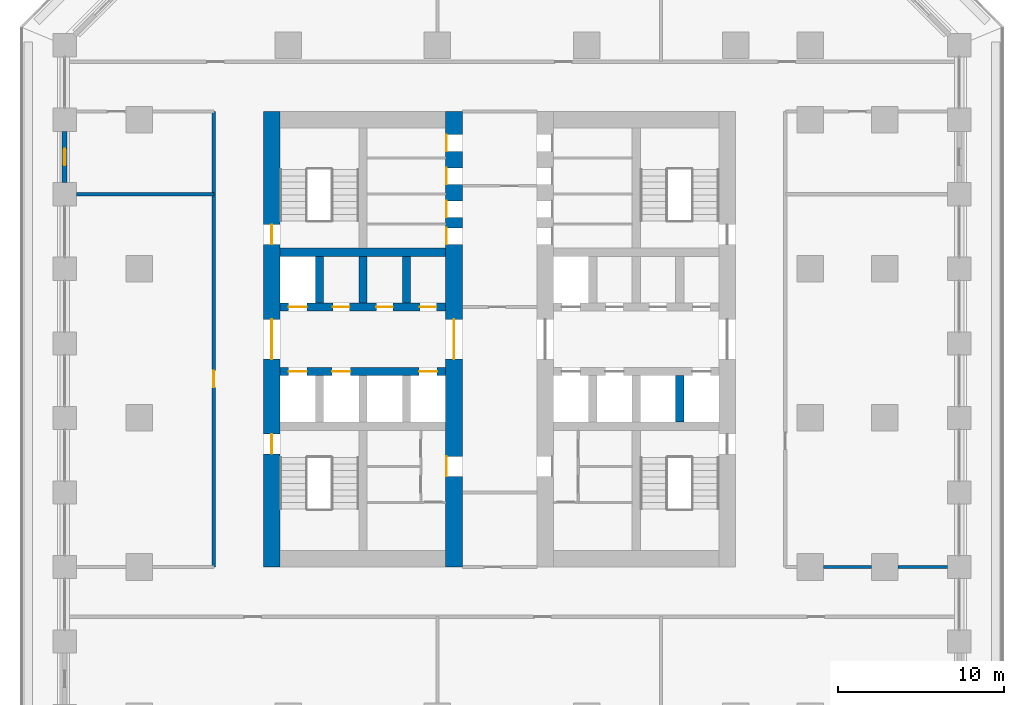
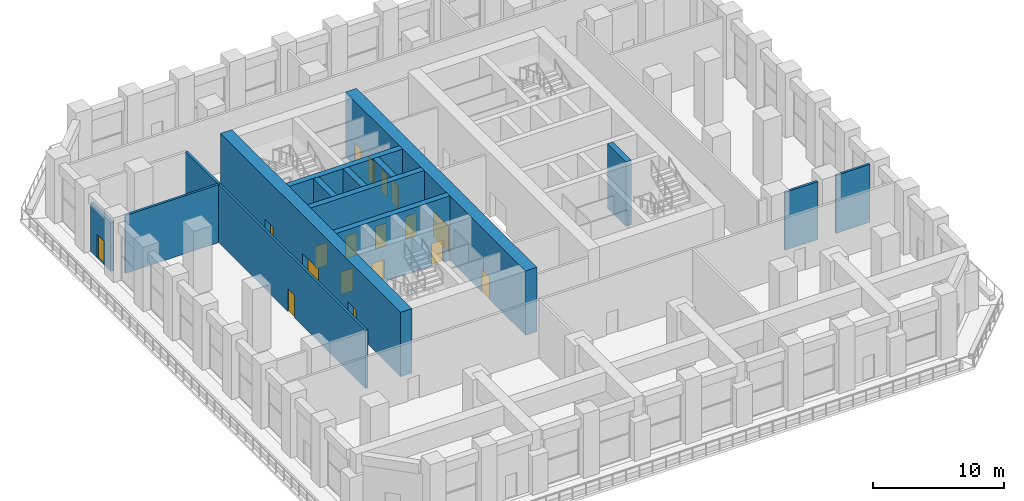
# One storey, part 12 of 19: 18 doors, 14 walls, 18 openings.
"""IFC4 building model written with IfcOpenShell, lengths in metres."""

from ifc_helpers import new_model, si_unit, direction, frame, frame_2d, origin, place, context, subcontext, project, spatial, rectangle, extrude, material, layer, layer_set, type_object, element, fill, save


model = new_model("IFC4")

# Units and contexts
model_context = context("Model", 3, precision=1e-05, world=origin(), true_north=direction((0.0, 1.0)))
body_context = subcontext(model_context, "Body", "Model", "MODEL_VIEW")
ifc_project = project(units=[si_unit("LENGTHUNIT", "METRE"), si_unit("AREAUNIT", "SQUARE_METRE"), si_unit("VOLUMEUNIT", "CUBIC_METRE"), si_unit("PLANEANGLEUNIT", "RADIAN"), si_unit("MASSUNIT", "GRAM", prefix="KILO")], contexts=[model_context])

# Site, building, storey
site_placement = place(None, origin())
site = spatial("IfcSite", under=ifc_project, at=site_placement, CompositionType="ELEMENT")
building_placement = place(site_placement, origin())
building = spatial("IfcBuilding", under=site, at=building_placement, Name="Corbel Stack Research Tower", CompositionType="ELEMENT")
storey_placement = place(building_placement, frame((0.0, 0.0, 70.60009765625)))
storey = spatial("IfcBuildingStorey", under=building, at=storey_placement, Name="L16", CompositionType="ELEMENT", Elevation=70.60009765625)

# Wall, openings, doors
ifc_material_1 = material(Name="Concrete C70/85", Category="concrete")
ifc_layer_1 = layer(ifc_material_1, 1.0)
ifc_layer_set_1 = layer_set([ifc_layer_1], Name="Concrete C70/85")
wall_type_1 = type_object("IfcWallType", Name="CW-1000-70", PredefinedType="SHEAR", material=ifc_layer_set_1)
wall_1_placement = place(storey_placement, frame((-10.0, -9.0, 0.0), z_axis=(0.0, 0.0, 1.0), x_axis=(0.0, 1.0, 0.0)))
wall_1 = element("IfcWall", 1, at=wall_1_placement, inside=storey, type_object=wall_type_1, Name="West core wall, west face L16", PredefinedType="SHEAR", context=body_context, shape_type="SweptSolid", body=[
    extrude(rectangle(XDim=27.5, YDim=1.0, at=frame_2d((13.75, 0.0))), origin(), (0.0, 0.0, 1.0), 6.0),
])
opening_1_placement = place(wall_1_placement, frame((12.550048828125, 0.0, 0.0)))
opening_1 = element("IfcOpeningElement", 2, at=opening_1_placement, cuts=wall_1, Name="Opening CD-W-W", PredefinedType="OPENING", context=body_context, shape_type="SweptSolid", body=[
    extrude(rectangle(XDim=2.39990234375, YDim=2.39990234375, at=frame_2d((1.199951171875, 1.199951171875))), frame((0.0, 0.510009765625, 0.0), z_axis=(0.0, -1.0, 0.0), x_axis=(1.0, 0.0, 0.0)), (0.0, 0.0, 1.0), 1.02001953125),
])
opening_2_placement = place(wall_1_placement, frame((6.824951171875, 0.0, 0.0)))
opening_2 = element("IfcOpeningElement", 3, at=opening_2_placement, cuts=wall_1, Name="Opening SD-ST-W1", PredefinedType="OPENING", context=body_context, shape_type="SweptSolid", body=[
    extrude(rectangle(XDim=1.199951171875, YDim=2.10009765625, at=frame_2d((0.60009765625, 1.050048828125))), frame((0.0, 0.510009765625, 0.0), z_axis=(0.0, -1.0, 0.0), x_axis=(1.0, 0.0, 0.0)), (0.0, 0.0, 1.0), 1.02001953125),
])
opening_3_placement = place(wall_1_placement, frame((19.47509765625, 0.0, 0.0)))
opening_3 = element("IfcOpeningElement", 4, at=opening_3_placement, cuts=wall_1, Name="Opening SD-ST-W2", PredefinedType="OPENING", context=body_context, shape_type="SweptSolid", body=[
    extrude(rectangle(XDim=1.199951171875, YDim=2.10009765625, at=frame_2d((0.60009765625, 1.050048828125))), frame((0.0, 0.510009765625, 0.0), z_axis=(0.0, -1.0, 0.0), x_axis=(1.0, 0.0, 0.0)), (0.0, 0.0, 1.0), 1.02001953125),
])
ifc_material_2 = material(Name="Painted steel fire door", Category="steel")
door_type_1 = type_object("IfcDoorType", Name="Lobby door pair 2400 x 2400 FD30S", OperationType="DOUBLE_DOOR_DOUBLE_SWING", PredefinedType="DOOR", material=ifc_material_2)
door_1_placement = place(opening_1_placement, origin())
door_1 = element("IfcDoor", 5, at=door_1_placement, inside=storey, type_object=door_type_1, Name="Lift lobby door W core W", OperationType="DOUBLE_DOOR_DOUBLE_SWING", OverallHeight=2.39990234375, OverallWidth=2.39990234375, PredefinedType="DOOR", context=body_context, shape_type="SweptSolid", body=[
    extrude(rectangle(XDim=2.39990234375, YDim=2.39990234375, at=frame_2d((1.199951171875, 1.199951171875))), frame((0.0, 0.02490234375, 0.0), z_axis=(0.0, -1.0, 0.0), x_axis=(1.0, 0.0, 0.0)), (0.0, 0.0, 1.0), 0.050048828125),
])
fill(opening_1, door_1)
ifc_material_3 = material(Name="Painted steel fire door", Category="steel")
door_type_2 = type_object("IfcDoorType", Name="Stair door 1200 x 2100 FD90 left hand", OperationType="SINGLE_SWING_LEFT", PredefinedType="DOOR", material=ifc_material_3)
door_2_placement = place(opening_2_placement, origin())
door_2 = element("IfcDoor", 6, at=door_2_placement, inside=storey, type_object=door_type_2, Name="Stair door ST-W1", OperationType="SINGLE_SWING_LEFT", OverallHeight=2.10009765625, OverallWidth=1.199951171875, PredefinedType="DOOR", context=body_context, shape_type="SweptSolid", body=[
    extrude(rectangle(XDim=1.199951171875, YDim=2.10009765625, at=frame_2d((0.60009765625, 1.050048828125))), frame((0.0, 0.02490234375, 0.0), z_axis=(0.0, -1.0, 0.0), x_axis=(1.0, 0.0, 0.0)), (0.0, 0.0, 1.0), 0.050048828125),
])
fill(opening_2, door_2)
door_3_placement = place(opening_3_placement, origin())
door_3 = element("IfcDoor", 7, at=door_3_placement, inside=storey, type_object=door_type_2, Name="Stair door ST-W2", OperationType="SINGLE_SWING_LEFT", OverallHeight=2.10009765625, OverallWidth=1.199951171875, PredefinedType="DOOR", context=body_context, shape_type="SweptSolid", body=[
    extrude(rectangle(XDim=1.199951171875, YDim=2.10009765625, at=frame_2d((0.60009765625, 1.050048828125))), frame((0.0, 0.02490234375, 0.0), z_axis=(0.0, -1.0, 0.0), x_axis=(1.0, 0.0, 0.0)), (0.0, 0.0, 1.0), 0.050048828125),
])
fill(opening_3, door_3)

wall_2_placement = place(storey_placement, frame((1.0, -9.0, 0.0), z_axis=(0.0, 0.0, 1.0), x_axis=(0.0, 1.0, 0.0)))
wall_2 = element("IfcWall", 8, at=wall_2_placement, inside=storey, type_object=wall_type_1, Name="West core wall, east face L16", PredefinedType="SHEAR", context=body_context, shape_type="SweptSolid", body=[
    extrude(rectangle(XDim=27.5, YDim=1.0, at=frame_2d((13.75, 0.0))), origin(), (0.0, 0.0, 1.0), 6.0),
])
opening_4_placement = place(wall_2_placement, frame((12.550048828125, 0.0, 0.0)))
opening_4 = element("IfcOpeningElement", 9, at=opening_4_placement, cuts=wall_2, Name="Opening CD-W-E", PredefinedType="OPENING", context=body_context, shape_type="SweptSolid", body=[
    extrude(rectangle(XDim=2.39990234375, YDim=2.39990234375, at=frame_2d((1.199951171875, 1.199951171875))), frame((0.0, 0.510009765625, 0.0), z_axis=(0.0, -1.0, 0.0), x_axis=(1.0, 0.0, 0.0)), (0.0, 0.0, 1.0), 1.02001953125),
])
opening_5_placement = place(wall_2_placement, frame((5.47509765625, 0.0, 0.0)))
opening_5 = element("IfcOpeningElement", 10, at=opening_5_placement, cuts=wall_2, Name="Opening CR-W66-W1-1200", PredefinedType="OPENING", context=body_context, shape_type="SweptSolid", body=[
    extrude(rectangle(XDim=1.199951171875, YDim=2.10009765625, at=frame_2d((0.60009765625, 1.050048828125))), frame((0.0, 0.510009765625, 0.0), z_axis=(0.0, -1.0, 0.0), x_axis=(1.0, 0.0, 0.0)), (0.0, 0.0, 1.0), 1.02001953125),
])
opening_6_placement = place(wall_2_placement, frame((19.47509765625, 0.0, 0.0)))
opening_6 = element("IfcOpeningElement", 11, at=opening_6_placement, cuts=wall_2, Name="Opening CR-W66-R1-1000", PredefinedType="OPENING", context=body_context, shape_type="SweptSolid", body=[
    extrude(rectangle(XDim=1.0, YDim=2.10009765625, at=frame_2d((0.5, 1.050048828125))), frame((0.0, 0.510009765625, 0.0), z_axis=(0.0, -1.0, 0.0), x_axis=(1.0, 0.0, 0.0)), (0.0, 0.0, 1.0), 1.02001953125),
])
opening_7_placement = place(wall_2_placement, frame((21.106201171875, 0.0, 0.0)))
opening_7 = element("IfcOpeningElement", 12, at=opening_7_placement, cuts=wall_2, Name="Opening CR-W66-R2-1000", PredefinedType="OPENING", context=body_context, shape_type="SweptSolid", body=[
    extrude(rectangle(XDim=1.0, YDim=2.10009765625, at=frame_2d((0.5, 1.050048828125))), frame((0.0, 0.510009765625, 0.0), z_axis=(0.0, -1.0, 0.0), x_axis=(1.0, 0.0, 0.0)), (0.0, 0.0, 1.0), 1.02001953125),
])
opening_8_placement = place(wall_2_placement, frame((23.10009765625, 0.0, 0.0)))
opening_8 = element("IfcOpeningElement", 13, at=opening_8_placement, cuts=wall_2, Name="Opening CR-W66-R3-1000", PredefinedType="OPENING", context=body_context, shape_type="SweptSolid", body=[
    extrude(rectangle(XDim=1.0, YDim=2.10009765625, at=frame_2d((0.5, 1.050048828125))), frame((0.0, 0.510009765625, 0.0), z_axis=(0.0, -1.0, 0.0), x_axis=(1.0, 0.0, 0.0)), (0.0, 0.0, 1.0), 1.02001953125),
])
opening_9_placement = place(wall_2_placement, frame((25.09375, 0.0, 0.0)))
opening_9 = element("IfcOpeningElement", 14, at=opening_9_placement, cuts=wall_2, Name="Opening CR-W66-R4-1000", PredefinedType="OPENING", context=body_context, shape_type="SweptSolid", body=[
    extrude(rectangle(XDim=1.0, YDim=2.10009765625, at=frame_2d((0.5, 1.050048828125))), frame((0.0, 0.510009765625, 0.0), z_axis=(0.0, -1.0, 0.0), x_axis=(1.0, 0.0, 0.0)), (0.0, 0.0, 1.0), 1.02001953125),
])
door_4_placement = place(opening_4_placement, origin())
door_4 = element("IfcDoor", 15, at=door_4_placement, inside=storey, type_object=door_type_1, Name="Lift lobby door W core E", OperationType="DOUBLE_DOOR_DOUBLE_SWING", OverallHeight=2.39990234375, OverallWidth=2.39990234375, PredefinedType="DOOR", context=body_context, shape_type="SweptSolid", body=[
    extrude(rectangle(XDim=2.39990234375, YDim=2.39990234375, at=frame_2d((1.199951171875, 1.199951171875))), frame((0.0, 0.02490234375, 0.0), z_axis=(0.0, -1.0, 0.0), x_axis=(1.0, 0.0, 0.0)), (0.0, 0.0, 1.0), 0.050048828125),
])
fill(opening_4, door_4)
ifc_material_4 = material(Name="Painted steel door", Category="steel")
door_type_3 = type_object("IfcDoorType", Name="Riser door 1000 x 2100 FD60 left hand", OperationType="SINGLE_SWING_LEFT", PredefinedType="DOOR", material=ifc_material_4)
door_5_placement = place(opening_6_placement, origin())
door_5 = element("IfcDoor", 16, at=door_5_placement, inside=storey, type_object=door_type_3, Name="Electrical riser door W core", OperationType="SINGLE_SWING_LEFT", OverallHeight=2.10009765625, OverallWidth=1.0, PredefinedType="DOOR", context=body_context, shape_type="SweptSolid", body=[
    extrude(rectangle(XDim=1.0, YDim=2.10009765625, at=frame_2d((0.5, 1.050048828125))), frame((0.0, 0.47509765625, 0.0), z_axis=(0.0, -1.0, 0.0), x_axis=(1.0, 0.0, 0.0)), (0.0, 0.0, 1.0), 0.050048828125),
])
fill(opening_6, door_5)
ifc_material_5 = material(Name="Painted steel door", Category="steel")
door_type_4 = type_object("IfcDoorType", Name="Riser door 1000 x 2100 FD60 right hand", OperationType="SINGLE_SWING_RIGHT", PredefinedType="DOOR", material=ifc_material_5)
door_6_placement = place(opening_7_placement, origin())
door_6 = element("IfcDoor", 17, at=door_6_placement, inside=storey, type_object=door_type_4, Name="Telecom room door W core", OperationType="SINGLE_SWING_RIGHT", OverallHeight=2.10009765625, OverallWidth=1.0, PredefinedType="DOOR", context=body_context, shape_type="SweptSolid", body=[
    extrude(rectangle(XDim=1.0, YDim=2.10009765625, at=frame_2d((0.5, 1.050048828125))), frame((0.0, 0.47509765625, 0.0), z_axis=(0.0, -1.0, 0.0), x_axis=(1.0, 0.0, 0.0)), (0.0, 0.0, 1.0), 0.050048828125),
])
fill(opening_7, door_6)
ifc_material_6 = material(Name="Painted steel door", Category="steel")
door_type_5 = type_object("IfcDoorType", Name="Service door 1000 x 2100 FD30 left hand", OperationType="SINGLE_SWING_LEFT", PredefinedType="DOOR", material=ifc_material_6)
door_7_placement = place(opening_8_placement, origin())
door_7 = element("IfcDoor", 18, at=door_7_placement, inside=storey, type_object=door_type_5, Name="Pantry door W core", OperationType="SINGLE_SWING_LEFT", OverallHeight=2.10009765625, OverallWidth=1.0, PredefinedType="DOOR", context=body_context, shape_type="SweptSolid", body=[
    extrude(rectangle(XDim=1.0, YDim=2.10009765625, at=frame_2d((0.5, 1.050048828125))), frame((0.0, 0.47509765625, 0.0), z_axis=(0.0, -1.0, 0.0), x_axis=(1.0, 0.0, 0.0)), (0.0, 0.0, 1.0), 0.050048828125),
])
fill(opening_8, door_7)
ifc_material_7 = material(Name="Painted steel door", Category="steel")
door_type_6 = type_object("IfcDoorType", Name="Service door 1000 x 2100 FD30 right hand", OperationType="SINGLE_SWING_RIGHT", PredefinedType="DOOR", material=ifc_material_7)
door_8_placement = place(opening_9_placement, origin())
door_8 = element("IfcDoor", 19, at=door_8_placement, inside=storey, type_object=door_type_6, Name="Cleaner's store door W core", OperationType="SINGLE_SWING_RIGHT", OverallHeight=2.10009765625, OverallWidth=1.0, PredefinedType="DOOR", context=body_context, shape_type="SweptSolid", body=[
    extrude(rectangle(XDim=1.0, YDim=2.10009765625, at=frame_2d((0.5, 1.050048828125))), frame((0.0, 0.47509765625, 0.0), z_axis=(0.0, -1.0, 0.0), x_axis=(1.0, 0.0, 0.0)), (0.0, 0.0, 1.0), 0.050048828125),
])
fill(opening_9, door_8)
ifc_material_8 = material(Name="Painted timber door", Category="wood")
door_type_7 = type_object("IfcDoorType", Name="WC door 1200 x 2100 left hand", OperationType="SINGLE_SWING_LEFT", PredefinedType="DOOR", material=ifc_material_8)
door_9_placement = place(opening_5_placement, origin())
door_9 = element("IfcDoor", 20, at=door_9_placement, inside=storey, type_object=door_type_7, Name="WC lobby door W core", OperationType="SINGLE_SWING_LEFT", OverallHeight=2.10009765625, OverallWidth=1.199951171875, PredefinedType="DOOR", context=body_context, shape_type="SweptSolid", body=[
    extrude(rectangle(XDim=1.199951171875, YDim=2.10009765625, at=frame_2d((0.60009765625, 1.050048828125))), frame((0.0, 0.47509765625, 0.0), z_axis=(0.0, -1.0, 0.0), x_axis=(1.0, 0.0, 0.0)), (0.0, 0.0, 1.0), 0.050048828125),
])
fill(opening_5, door_9)

ifc_material_9 = material(Name="Concrete C70/85", Category="concrete")
ifc_layer_2 = layer(ifc_material_9, 0.5)
ifc_layer_set_2 = layer_set([ifc_layer_2], Name="Concrete C70/85")
wall_type_2 = type_object("IfcWallType", Name="CW-500-70", PredefinedType="SHEAR", material=ifc_layer_set_2)
wall_3_placement = place(storey_placement, frame((-9.5, 2.800048828125, 0.0), z_axis=(0.0, 0.0, 1.0), x_axis=(1.0, 0.0, 0.0)))
wall_3 = element("IfcWall", 21, at=wall_3_placement, inside=storey, type_object=wall_type_2, Name="West core wall, lobby south L16", PredefinedType="SHEAR", context=body_context, shape_type="SweptSolid", body=[
    extrude(rectangle(XDim=10.0, YDim=0.5, at=frame_2d((5.0, 0.0))), origin(), (0.0, 0.0, 1.0), 6.0),
])
opening_10_placement = place(wall_3_placement, frame((0.512451171875, 0.0, 0.0)))
opening_10 = element("IfcOpeningElement", 22, at=opening_10_placement, cuts=wall_3, Name="Opening LD-FS1", PredefinedType="OPENING", context=body_context, shape_type="SweptSolid", body=[
    extrude(rectangle(XDim=1.10009765625, YDim=2.10009765625, at=frame_2d((0.550048828125, 1.050048828125))), frame((0.0, 0.260009765625, 0.0), z_axis=(0.0, -1.0, 0.0), x_axis=(1.0, 0.0, 0.0)), (0.0, 0.0, 1.0), 0.52001953125),
])
opening_11_placement = place(wall_3_placement, frame((3.137451171875, 0.0, 0.0)))
opening_11 = element("IfcOpeningElement", 23, at=opening_11_placement, cuts=wall_3, Name="Opening LD-GL1", PredefinedType="OPENING", context=body_context, shape_type="SweptSolid", body=[
    extrude(rectangle(XDim=1.10009765625, YDim=2.10009765625, at=frame_2d((0.550048828125, 1.050048828125))), frame((0.0, 0.260009765625, 0.0), z_axis=(0.0, -1.0, 0.0), x_axis=(1.0, 0.0, 0.0)), (0.0, 0.0, 1.0), 0.52001953125),
])
opening_12_placement = place(wall_3_placement, frame((8.387451171875, 0.0, 0.0)))
opening_12 = element("IfcOpeningElement", 24, at=opening_12_placement, cuts=wall_3, Name="Opening LD-LR1", PredefinedType="OPENING", context=body_context, shape_type="SweptSolid", body=[
    extrude(rectangle(XDim=1.10009765625, YDim=2.10009765625, at=frame_2d((0.550048828125, 1.050048828125))), frame((0.0, 0.260009765625, 0.0), z_axis=(0.0, -1.0, 0.0), x_axis=(1.0, 0.0, 0.0)), (0.0, 0.0, 1.0), 0.52001953125),
])
ifc_material_10 = material(Name="Stainless steel landing door", Category="steel")
door_type_8 = type_object("IfcDoorType", Name="Lift landing door 1100 x 2100", OperationType="DOUBLE_DOOR_SLIDING", PredefinedType="DOOR", material=ifc_material_10)
door_10_placement = place(opening_10_placement, origin())
door_10 = element("IfcDoor", 25, at=door_10_placement, inside=storey, type_object=door_type_8, Name="Landing door FS1", OperationType="DOUBLE_DOOR_SLIDING", OverallHeight=2.10009765625, OverallWidth=1.10009765625, PredefinedType="DOOR", context=body_context, shape_type="SweptSolid", body=[
    extrude(rectangle(XDim=1.10009765625, YDim=2.10009765625, at=frame_2d((0.550048828125, 1.050048828125))), frame((0.0, 0.02490234375, 0.0), z_axis=(0.0, -1.0, 0.0), x_axis=(1.0, 0.0, 0.0)), (0.0, 0.0, 1.0), 0.050048828125),
])
fill(opening_10, door_10)
door_11_placement = place(opening_11_placement, origin())
door_11 = element("IfcDoor", 26, at=door_11_placement, inside=storey, type_object=door_type_8, Name="Landing door GL1", OperationType="DOUBLE_DOOR_SLIDING", OverallHeight=2.10009765625, OverallWidth=1.10009765625, PredefinedType="DOOR", context=body_context, shape_type="SweptSolid", body=[
    extrude(rectangle(XDim=1.10009765625, YDim=2.10009765625, at=frame_2d((0.550048828125, 1.050048828125))), frame((0.0, 0.02490234375, 0.0), z_axis=(0.0, -1.0, 0.0), x_axis=(1.0, 0.0, 0.0)), (0.0, 0.0, 1.0), 0.050048828125),
])
fill(opening_11, door_11)
door_12_placement = place(opening_12_placement, origin())
door_12 = element("IfcDoor", 27, at=door_12_placement, inside=storey, type_object=door_type_8, Name="Landing door LR1", OperationType="DOUBLE_DOOR_SLIDING", OverallHeight=2.10009765625, OverallWidth=1.10009765625, PredefinedType="DOOR", context=body_context, shape_type="SweptSolid", body=[
    extrude(rectangle(XDim=1.10009765625, YDim=2.10009765625, at=frame_2d((0.550048828125, 1.050048828125))), frame((0.0, 0.02490234375, 0.0), z_axis=(0.0, -1.0, 0.0), x_axis=(1.0, 0.0, 0.0)), (0.0, 0.0, 1.0), 0.050048828125),
])
fill(opening_12, door_12)

wall_4_placement = place(storey_placement, frame((-9.5, 6.699951171875, 0.0), z_axis=(0.0, 0.0, 1.0), x_axis=(1.0, 0.0, 0.0)))
wall_4 = element("IfcWall", 28, at=wall_4_placement, inside=storey, type_object=wall_type_2, Name="West core wall, lobby north L16", PredefinedType="SHEAR", context=body_context, shape_type="SweptSolid", body=[
    extrude(rectangle(XDim=10.0, YDim=0.5, at=frame_2d((5.0, 0.0))), origin(), (0.0, 0.0, 1.0), 6.0),
])
opening_13_placement = place(wall_4_placement, frame((0.512451171875, 0.0, 0.0)))
opening_13 = element("IfcOpeningElement", 29, at=opening_13_placement, cuts=wall_4, Name="Opening LD-LR2", PredefinedType="OPENING", context=body_context, shape_type="SweptSolid", body=[
    extrude(rectangle(XDim=1.10009765625, YDim=2.10009765625, at=frame_2d((0.550048828125, 1.050048828125))), frame((0.0, 0.260009765625, 0.0), z_axis=(0.0, -1.0, 0.0), x_axis=(1.0, 0.0, 0.0)), (0.0, 0.0, 1.0), 0.52001953125),
])
opening_14_placement = place(wall_4_placement, frame((3.1875, 0.0, 0.0)))
opening_14 = element("IfcOpeningElement", 30, at=opening_14_placement, cuts=wall_4, Name="Opening CR-W66-N2", PredefinedType="OPENING", context=body_context, shape_type="SweptSolid", body=[
    extrude(rectangle(XDim=1.0, YDim=2.10009765625, at=frame_2d((0.5, 1.050048828125))), frame((0.0, 0.260009765625, 0.0), z_axis=(0.0, -1.0, 0.0), x_axis=(1.0, 0.0, 0.0)), (0.0, 0.0, 1.0), 0.52001953125),
])
opening_15_placement = place(wall_4_placement, frame((5.8125, 0.0, 0.0)))
opening_15 = element("IfcOpeningElement", 31, at=opening_15_placement, cuts=wall_4, Name="Opening CR-W66-N3", PredefinedType="OPENING", context=body_context, shape_type="SweptSolid", body=[
    extrude(rectangle(XDim=1.0, YDim=2.10009765625, at=frame_2d((0.5, 1.050048828125))), frame((0.0, 0.260009765625, 0.0), z_axis=(0.0, -1.0, 0.0), x_axis=(1.0, 0.0, 0.0)), (0.0, 0.0, 1.0), 0.52001953125),
])
opening_16_placement = place(wall_4_placement, frame((8.4375, 0.0, 0.0)))
opening_16 = element("IfcOpeningElement", 32, at=opening_16_placement, cuts=wall_4, Name="Opening CR-W66-N4", PredefinedType="OPENING", context=body_context, shape_type="SweptSolid", body=[
    extrude(rectangle(XDim=1.0, YDim=2.10009765625, at=frame_2d((0.5, 1.050048828125))), frame((0.0, 0.260009765625, 0.0), z_axis=(0.0, -1.0, 0.0), x_axis=(1.0, 0.0, 0.0)), (0.0, 0.0, 1.0), 0.52001953125),
])
door_13_placement = place(opening_13_placement, origin())
door_13 = element("IfcDoor", 33, at=door_13_placement, inside=storey, type_object=door_type_8, Name="Landing door LR2", OperationType="DOUBLE_DOOR_SLIDING", OverallHeight=2.10009765625, OverallWidth=1.10009765625, PredefinedType="DOOR", context=body_context, shape_type="SweptSolid", body=[
    extrude(rectangle(XDim=1.10009765625, YDim=2.10009765625, at=frame_2d((0.550048828125, 1.050048828125))), frame((0.0, 0.02490234375, 0.0), z_axis=(0.0, -1.0, 0.0), x_axis=(1.0, 0.0, 0.0)), (0.0, 0.0, 1.0), 0.050048828125),
])
fill(opening_13, door_13)
ifc_material_11 = material(Name="Painted steel door", Category="steel")
door_type_9 = type_object("IfcDoorType", Name="Service door 1000 x 2100 FD60 left hand", OperationType="SINGLE_SWING_LEFT", PredefinedType="DOOR", material=ifc_material_11)
door_14_placement = place(opening_15_placement, origin())
door_14 = element("IfcDoor", 34, at=door_14_placement, inside=storey, type_object=door_type_9, Name="Staff WC door W core", OperationType="SINGLE_SWING_LEFT", OverallHeight=2.10009765625, OverallWidth=1.0, PredefinedType="DOOR", context=body_context, shape_type="SweptSolid", body=[
    extrude(rectangle(XDim=1.0, YDim=2.10009765625, at=frame_2d((0.5, 1.050048828125))), frame((0.0, 0.02490234375, 0.0), z_axis=(0.0, -1.0, 0.0), x_axis=(1.0, 0.0, 0.0)), (0.0, 0.0, 1.0), 0.050048828125),
])
fill(opening_15, door_14)
ifc_material_12 = material(Name="Painted steel door", Category="steel")
door_type_10 = type_object("IfcDoorType", Name="Service door 1000 x 2100 FD60 right hand", OperationType="SINGLE_SWING_RIGHT", PredefinedType="DOOR", material=ifc_material_12)
door_15_placement = place(opening_14_placement, origin())
door_15 = element("IfcDoor", 35, at=door_15_placement, inside=storey, type_object=door_type_10, Name="Pantry door W core", OperationType="SINGLE_SWING_RIGHT", OverallHeight=2.10009765625, OverallWidth=1.0, PredefinedType="DOOR", context=body_context, shape_type="SweptSolid", body=[
    extrude(rectangle(XDim=1.0, YDim=2.10009765625, at=frame_2d((0.5, 1.050048828125))), frame((0.0, 0.02490234375, 0.0), z_axis=(0.0, -1.0, 0.0), x_axis=(1.0, 0.0, 0.0)), (0.0, 0.0, 1.0), 0.050048828125),
])
fill(opening_14, door_15)
door_16_placement = place(opening_16_placement, origin())
door_16 = element("IfcDoor", 36, at=door_16_placement, inside=storey, type_object=door_type_10, Name="Laboratory consumables store door W core", OperationType="SINGLE_SWING_RIGHT", OverallHeight=2.10009765625, OverallWidth=1.0, PredefinedType="DOOR", context=body_context, shape_type="SweptSolid", body=[
    extrude(rectangle(XDim=1.0, YDim=2.10009765625, at=frame_2d((0.5, 1.050048828125))), frame((0.0, 0.02490234375, 0.0), z_axis=(0.0, -1.0, 0.0), x_axis=(1.0, 0.0, 0.0)), (0.0, 0.0, 1.0), 0.050048828125),
])
fill(opening_16, door_16)

# Walls
wall_5_placement = place(storey_placement, frame((-9.5, 10.0, 0.0), z_axis=(0.0, 0.0, 1.0), x_axis=(1.0, 0.0, 0.0)))
element("IfcWall", 37, at=wall_5_placement, inside=storey, type_object=wall_type_2, Name="West core wall, north row back L16", PredefinedType="SHEAR", context=body_context, shape_type="SweptSolid", body=[
    extrude(rectangle(XDim=10.0, YDim=0.5, at=frame_2d((5.0, 0.0))), origin(), (0.0, 0.0, 1.0), 6.0),
])
for number, where, z_axis, x_axis, name in (
    (38, (-7.125, 6.949951171875, 0.0), (0.0, 0.0, 1.0), (0.0, 1.0, 0.0), "West core wall, north shaft 1 L16"),
    (39, (-4.5, 6.949951171875, 0.0), (0.0, 0.0, 1.0), (0.0, 1.0, 0.0), "West core wall, north shaft 2 L16"),
    (40, (-1.875, 6.949951171875, 0.0), (0.0, 0.0, 1.0), (0.0, 1.0, 0.0), "West core wall, north shaft 3 L16"),
    (41, (14.625, -0.25, 0.0), (0.0, 0.0, 1.0), (0.0, 1.0, 0.0), "East core wall, south shaft 3 L16"),
):
    element("IfcWall", number, at=place(storey_placement, frame(where, z_axis=z_axis, x_axis=x_axis)), inside=storey, type_object=wall_type_2, Name=name, PredefinedType="SHEAR", context=body_context, shape_type="SweptSolid", body=[
        extrude(rectangle(XDim=2.800048828125, YDim=0.5, at=frame_2d((1.39990234375, 0.0))), origin(), (0.0, 0.0, 1.0), 6.0),
    ])

# Wall, opening, door
ifc_material_13 = material(Name="Fire-rated gypsum board partition on steel studs", Category="steel")
ifc_layer_3 = layer(ifc_material_13, 0.199951171875)
ifc_layer_set_3 = layer_set([ifc_layer_3], Name="Fire-rated gypsum board partition on steel studs")
wall_type_3 = type_object("IfcWallType", Name="Fire-rated partition 200 EI 60", PredefinedType="PARTITIONING", material=ifc_layer_set_3)
wall_6_placement = place(storey_placement, frame((-13.5, -9.0, 0.0), z_axis=(0.0, 0.0, 1.0), x_axis=(0.0, 1.0, 0.0)))
wall_6 = element("IfcWall", 42, at=wall_6_placement, inside=storey, type_object=wall_type_3, Name="Partition L16-001", PredefinedType="PARTITIONING", context=body_context, shape_type="SweptSolid", body=[
    extrude(rectangle(XDim=27.5, YDim=0.199951171875, at=frame_2d((13.75, 0.0))), origin(), (0.0, 0.0, 1.0), 5.39990234375),
])
opening_17_placement = place(wall_6_placement, frame((10.85009765625, 0.0, 0.0)))
opening_17 = element("IfcOpeningElement", 43, at=opening_17_placement, cuts=wall_6, Name="Opening B2AM-001", PredefinedType="OPENING", context=body_context, shape_type="SweptSolid", body=[
    extrude(rectangle(XDim=1.0, YDim=2.10009765625, at=frame_2d((0.5, 1.050048828125))), frame((0.0, 0.10986328125, 0.0), z_axis=(0.0, -1.0, 0.0), x_axis=(1.0, 0.0, 0.0)), (0.0, 0.0, 1.0), 0.219970703125),
])
ifc_material_14 = material(Name="Painted steel fire door", Category="steel")
door_type_11 = type_object("IfcDoorType", Name="Fire door FD30S 1000 x 2100", OperationType="NOTDEFINED", PredefinedType="DOOR", material=ifc_material_14)
door_17_placement = place(opening_17_placement, origin())
door_17 = element("IfcDoor", 44, at=door_17_placement, inside=storey, type_object=door_type_11, Name="Door B2AM-001", OperationType="SINGLE_SWING_LEFT", OverallHeight=2.10009765625, OverallWidth=1.0, PredefinedType="DOOR", context=body_context, shape_type="SweptSolid", body=[
    extrude(rectangle(XDim=1.0, YDim=2.10009765625, at=frame_2d((0.5, 1.050048828125))), frame((0.0, 0.02490234375, 0.0), z_axis=(0.0, -1.0, 0.0), x_axis=(1.0, 0.0, 0.0)), (0.0, 0.0, 1.0), 0.050048828125),
])
fill(opening_17, door_17)

# Walls
wall_7_placement = place(storey_placement, frame((23.300048828125, -9.0, 0.0), z_axis=(0.0, 0.0, 1.0), x_axis=(1.0, 0.0, 0.0)))
element("IfcWall", 45, at=wall_7_placement, inside=storey, type_object=wall_type_3, Name="Partition L16-015", PredefinedType="PARTITIONING", context=body_context, shape_type="SweptSolid", body=[
    extrude(rectangle(XDim=2.89990234375, YDim=0.199951171875, at=frame_2d((1.449951171875, 0.0))), origin(), (0.0, 0.0, 1.0), 5.39990234375),
])
wall_8_placement = place(storey_placement, frame((27.800048828125, -9.0, 0.0), z_axis=(0.0, 0.0, 1.0), x_axis=(1.0, 0.0, 0.0)))
element("IfcWall", 46, at=wall_8_placement, inside=storey, type_object=wall_type_3, Name="Partition L16-016", PredefinedType="PARTITIONING", context=body_context, shape_type="SweptSolid", body=[
    extrude(rectangle(XDim=3.0, YDim=0.199951171875, at=frame_2d((1.5, 0.0))), origin(), (0.0, 0.0, 1.0), 5.39990234375),
])
wall_9_placement = place(storey_placement, frame((-21.800048828125, 13.5, 0.0), z_axis=(0.0, 0.0, 1.0), x_axis=(1.0, 0.0, 0.0)))
element("IfcWall", 47, at=wall_9_placement, inside=storey, type_object=wall_type_3, Name="Partition L16-019", PredefinedType="PARTITIONING", context=body_context, shape_type="SweptSolid", body=[
    extrude(rectangle(XDim=8.300048828125, YDim=0.199951171875, at=frame_2d((4.14990234375, 0.0))), origin(), (0.0, 0.0, 1.0), 5.39990234375),
])

# Wall, opening, door
ifc_material_15 = material(Name="Concrete C45/55", Category="concrete")
ifc_layer_4 = layer(ifc_material_15, 0.300048828125)
ifc_layer_set_4 = layer_set([ifc_layer_4], Name="Concrete C45/55")
wall_type_4 = type_object("IfcWallType", Name="Terracotta-faced concrete wall 300", PredefinedType="SOLIDWALL", material=ifc_layer_set_4)
wall_10_placement = place(storey_placement, frame((-22.5, 14.199951171875, 0.0), z_axis=(0.0, 0.0, 1.0), x_axis=(0.0, 1.0, 0.0)))
wall_10 = element("IfcWall", 48, at=wall_10_placement, inside=storey, type_object=wall_type_4, Name="Facade wall L16 W02", PredefinedType="SOLIDWALL", context=body_context, shape_type="SweptSolid", body=[
    extrude(rectangle(XDim=3.10009765625, YDim=0.300048828125, at=frame_2d((1.550048828125, 0.0))), origin(), (0.0, 0.0, 1.0), 4.5),
])
opening_18_placement = place(wall_10_placement, frame((1.050048828125, 0.0, 0.0)))
opening_18 = element("IfcOpeningElement", 49, at=opening_18_placement, cuts=wall_10, Name="Opening L16-B10", PredefinedType="OPENING", context=body_context, shape_type="SweptSolid", body=[
    extrude(rectangle(XDim=1.0, YDim=2.199951171875, at=frame_2d((0.5, 1.10009765625))), frame((0.0, 0.159912109375, 0.0), z_axis=(0.0, -1.0, 0.0), x_axis=(1.0, 0.0, 0.0)), (0.0, 0.0, 1.0), 0.320068359375),
])
ifc_material_16 = material(Name="Aluminium frame, clear double glazing", Category="aluminium")
door_type_12 = type_object("IfcDoorType", Name="Balcony door BD1 1000 x 2200", OperationType="NOTDEFINED", PredefinedType="DOOR", material=ifc_material_16)
door_18_placement = place(opening_18_placement, origin())
door_18 = element("IfcDoor", 50, at=door_18_placement, inside=storey, type_object=door_type_12, Name="Balcony door L16-B10", OperationType="SINGLE_SWING_RIGHT", OverallHeight=2.199951171875, OverallWidth=1.0, PredefinedType="DOOR", context=body_context, shape_type="SweptSolid", body=[
    extrude(rectangle(XDim=1.0, YDim=2.199951171875, at=frame_2d((0.5, 1.10009765625))), frame((0.0, 0.02490234375, 0.0), z_axis=(0.0, -1.0, 0.0), x_axis=(1.0, 0.0, 0.0)), (0.0, 0.0, 1.0), 0.050048828125),
])
fill(opening_18, door_18)

save(model, "model.ifc")
